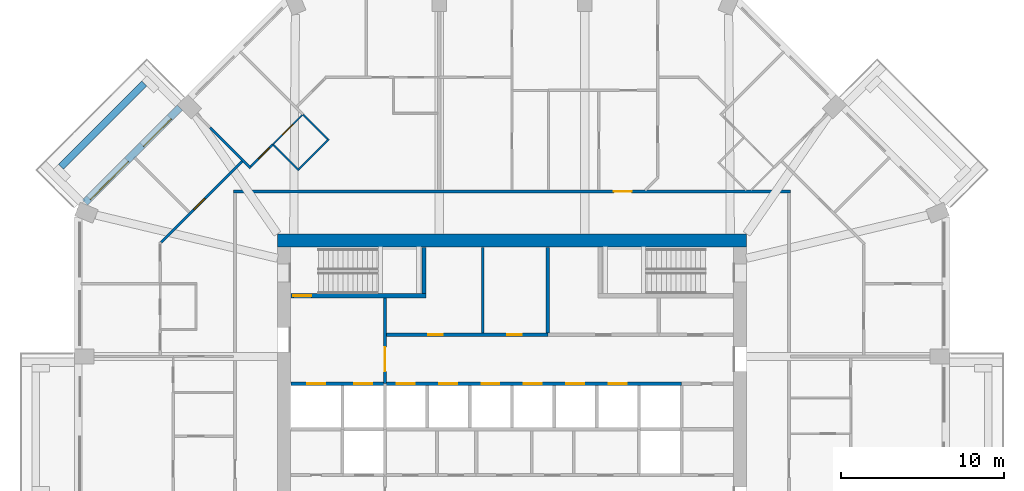
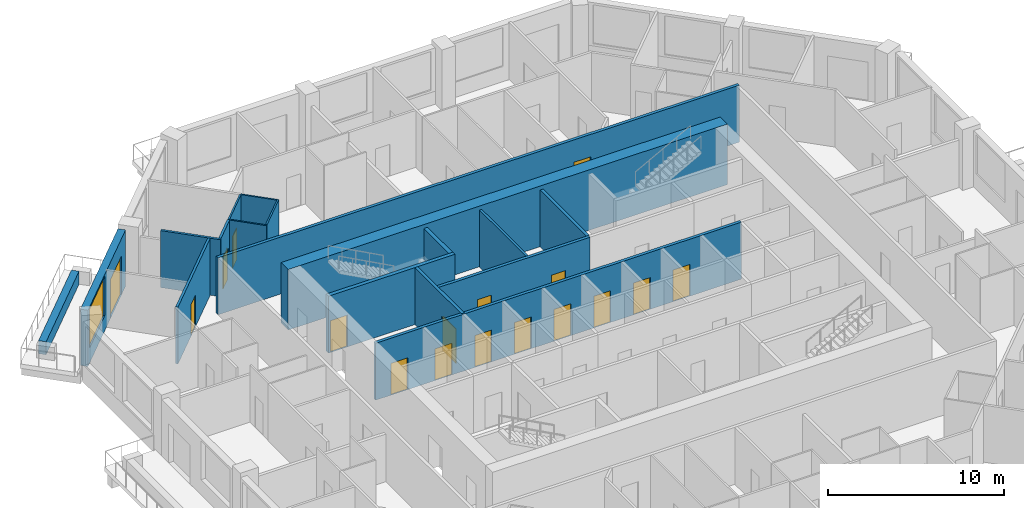
# One storey, part 8 of 13: 18 walls, 17 doors, 1 window, 18 openings.
"""IFC4 building model written with IfcOpenShell, lengths in metres."""

from ifc_helpers import new_model, si_unit, direction, frame, frame_2d, origin, place, context, subcontext, project, spatial, rectangle, extrude, material, layer, layer_set, type_object, element, fill, save


model = new_model("IFC4")

# Units and contexts
model_context = context("Model", 3, precision=1e-05, world=origin(), true_north=direction((0.0, 1.0)))
body_context = subcontext(model_context, "Body", "Model", "MODEL_VIEW")
ifc_project = project(units=[si_unit("LENGTHUNIT", "METRE"), si_unit("AREAUNIT", "SQUARE_METRE"), si_unit("VOLUMEUNIT", "CUBIC_METRE"), si_unit("PLANEANGLEUNIT", "RADIAN"), si_unit("MASSUNIT", "GRAM", prefix="KILO")], contexts=[model_context])

# Site, building, storey
site_placement = place(None, origin())
site = spatial("IfcSite", under=ifc_project, at=site_placement, CompositionType="ELEMENT")
building_placement = place(site_placement, origin())
building = spatial("IfcBuilding", under=site, at=building_placement, Name="Msitu Wima Residences", CompositionType="ELEMENT")
storey_placement = place(building_placement, frame((0.0, 0.0, 110.699951171875)))
storey = spatial("IfcBuildingStorey", under=building, at=storey_placement, Name="L25", CompositionType="ELEMENT", Elevation=110.699951171875)

# Wall
ifc_material_1 = material(Name="Facing brick")
ifc_layer_1 = layer(ifc_material_1, 0.06494140625, Name="Facing brick")
ifc_material_2 = material(Name="Concrete C40/50", Category="concrete")
ifc_layer_2 = layer(ifc_material_2, 0.156005859375, Name="Concrete C40/50")
ifc_material_3 = material(Name="Waterproofing membrane")
ifc_layer_3 = layer(ifc_material_3, 0.00390625, Name="Waterproofing membrane")
ifc_material_4 = material(Name="Planting soil and planting")
ifc_layer_4 = layer(ifc_material_4, 0.22509765625, Name="Planting soil and planting")
ifc_layer_set_1 = layer_set([ifc_layer_1, ifc_layer_2, ifc_layer_3, ifc_layer_4], Name="Concrete C40/50")
wall_type_1 = type_object("IfcWallType", Name="Balcony planter PLANTER PL450", PredefinedType="USERDEFINED", material=ifc_layer_set_1)
wall_1_placement = place(storey_placement, frame((-22.572265625, 21.228759765625, 0.0), z_axis=(0.0, 0.0, 1.0), x_axis=(-0.707106781187, -0.707106781187, 0.0)))
element("IfcWall", 1, at=wall_1_placement, inside=storey, type_object=wall_type_1, Name="Balcony planter NW1 L25", ObjectType="PLANTER", PredefinedType="USERDEFINED", context=body_context, shape_type="SweptSolid", body=[
    extrude(rectangle(XDim=7.23828125, YDim=0.449951171875, at=frame_2d((3.619140625, 0.0))), origin(), (0.0, 0.0, 1.0), 0.900146484375),
])

# Wall, openings, door, window
ifc_material_5 = material(Name="Brick (red buff mix)", Category="masonry")
ifc_layer_5 = layer(ifc_material_5, 0.449951171875)
ifc_layer_set_2 = layer_set([ifc_layer_5], Name="Brick (red buff mix)")
wall_type_2 = type_object("IfcWallType", Name="Brick infill wall BW450", PredefinedType="SOLIDWALL", material=ifc_layer_set_2)
wall_2_placement = place(storey_placement, frame((-20.380126953125, 19.743896484375, 0.0), z_axis=(0.0, 0.0, 1.0), x_axis=(-0.707106781187, -0.707106781187, 0.0)))
wall_2 = element("IfcWall", 2, at=wall_2_placement, inside=storey, type_object=wall_type_2, Name="Brick infill wall L25 NW1", PredefinedType="SOLIDWALL", context=body_context, shape_type="SweptSolid", body=[
    extrude(rectangle(XDim=8.251220703125, YDim=0.449951171875, at=frame_2d((4.12548828125, 0.0))), origin(), (0.0, 0.0, 1.0), 3.900146484375),
])
opening_1_placement = place(wall_2_placement, frame((0.86279296875, 0.0, 0.0)))
opening_1 = element("IfcOpeningElement", 3, at=opening_1_placement, cuts=wall_2, Name="Opening D25-26.005", PredefinedType="OPENING", context=body_context, shape_type="SweptSolid", body=[
    extrude(rectangle(XDim=2.39990234375, YDim=2.699951171875, at=frame_2d((1.199951171875, 1.35009765625))), frame((0.0, 0.23486328125, 0.0), z_axis=(0.0, -1.0, 0.0), x_axis=(1.0, 0.0, 0.0)), (0.0, 0.0, 1.0), 0.469970703125),
])
opening_2_placement = place(wall_2_placement, frame((4.57568359375, 0.0, 1.050048828125)))
opening_2 = element("IfcOpeningElement", 4, at=opening_2_placement, cuts=wall_2, Name="Opening W25-26.015", PredefinedType="OPENING", context=body_context, shape_type="SweptSolid", body=[
    extrude(rectangle(XDim=3.300048828125, YDim=2.699951171875, at=frame_2d((1.64990234375, 1.35009765625))), frame((0.0, 0.23486328125, 0.0), z_axis=(0.0, -1.0, 0.0), x_axis=(1.0, 0.0, 0.0)), (0.0, 0.0, 1.0), 0.469970703125),
])
ifc_material_6 = material(Name="Anodised aluminium, bronze finish, clear low-emissivity double glazing", Category="aluminium")
door_type_1 = type_object("IfcDoorType", Name="Balcony door D2400x2700", OperationType="SLIDING_TO_LEFT", PredefinedType="DOOR", material=ifc_material_6)
door_1_placement = place(opening_1_placement, origin())
door_1 = element("IfcDoor", 5, at=door_1_placement, inside=storey, type_object=door_type_1, Name="Balcony door L25 NW1", OperationType="SINGLE_SWING_LEFT", OverallHeight=2.699951171875, OverallWidth=2.39990234375, PredefinedType="DOOR", context=body_context, shape_type="SweptSolid", body=[
    extrude(rectangle(XDim=2.39990234375, YDim=2.699951171875, at=frame_2d((1.199951171875, 1.35009765625))), frame((0.0, 0.1298828125, 0.0), z_axis=(0.0, -1.0, 0.0), x_axis=(1.0, 0.0, 0.0)), (0.0, 0.0, 1.0), 0.050048828125),
])
fill(opening_1, door_1)
window_type = type_object("IfcWindowType", Name="Window W3300x2700", PartitioningType="DOUBLE_PANEL_VERTICAL", PredefinedType="WINDOW", material=ifc_material_6)
window_placement = place(opening_2_placement, origin())
window = element("IfcWindow", 6, at=window_placement, inside=storey, type_object=window_type, Name="Window L25 NW1.2", OverallHeight=2.699951171875, OverallWidth=3.300048828125, PartitioningType="SINGLE_PANEL", PredefinedType="WINDOW", context=body_context, shape_type="SweptSolid", body=[
    extrude(rectangle(XDim=3.300048828125, YDim=2.699951171875, at=frame_2d((1.64990234375, 1.35009765625))), frame((0.0, 0.135009765625, 0.0), z_axis=(0.0, -1.0, 0.0), x_axis=(1.0, 0.0, 0.0)), (0.0, 0.0, 1.0), 0.06005859375),
])
fill(opening_2, window)

# Wall
ifc_material_7 = material(Name="Concrete C70/85", Category="concrete")
ifc_layer_6 = layer(ifc_material_7, 0.800048828125)
ifc_layer_set_3 = layer_set([ifc_layer_6], Name="Concrete C70/85")
wall_type_3 = type_object("IfcWallType", Name="Core wall CW800 C70/85", PredefinedType="SHEAR", material=ifc_layer_set_3)
wall_3_placement = place(storey_placement, frame((-14.39990234375, 11.60009765625, 0.0), z_axis=(0.0, 0.0, 1.0), x_axis=(1.0, 0.0, 0.0)))
element("IfcWall", 7, at=wall_3_placement, inside=storey, type_object=wall_type_3, Name="Core wall", PredefinedType="SHEAR", context=body_context, shape_type="SweptSolid", body=[
    extrude(rectangle(XDim=28.7998046875, YDim=0.800048828125, at=frame_2d((14.39990234375, 0.0))), origin(), (0.0, 0.0, 1.0), 4.199951171875),
])

# Wall, opening, door
ifc_material_8 = material(Name="Plaster")
ifc_layer_7 = layer(ifc_material_8, 0.011962890625, Name="Plaster")
ifc_material_9 = material(Name="Concrete blockwork", Category="masonry")
ifc_layer_8 = layer(ifc_material_9, 0.176025390625, Name="Concrete blockwork")
ifc_layer_9 = layer(ifc_material_8, 0.011962890625, Name="Plaster")
ifc_layer_set_4 = layer_set([ifc_layer_7, ifc_layer_8, ifc_layer_9], Name="Concrete blockwork")
wall_type_4 = type_object("IfcWallType", Name="Corridor wall FW200", PredefinedType="PARTITIONING", material=ifc_layer_set_4)
wall_4_placement = place(storey_placement, frame((-17.10009765625, 14.60009765625, 0.0), z_axis=(0.0, 0.0, 1.0), x_axis=(1.0, 0.0, 0.0)))
wall_4 = element("IfcWall", 8, at=wall_4_placement, inside=storey, type_object=wall_type_4, Name="Corridor wall", PredefinedType="PARTITIONING", context=body_context, shape_type="SweptSolid", body=[
    extrude(rectangle(XDim=34.2001953125, YDim=0.199951171875, at=frame_2d((17.10009765625, 0.0))), origin(), (0.0, 0.0, 1.0), 3.949951171875),
])
opening_3_placement = place(wall_4_placement, frame((23.35009765625, 0.0, 0.0)))
opening_3 = element("IfcOpeningElement", 9, at=opening_3_placement, cuts=wall_4, Name="Opening D25-26.011", PredefinedType="OPENING", context=body_context, shape_type="SweptSolid", body=[
    extrude(rectangle(XDim=1.10009765625, YDim=2.39990234375, at=frame_2d((0.550048828125, 1.199951171875))), frame((0.0, 0.10986328125, 0.0), z_axis=(0.0, -1.0, 0.0), x_axis=(1.0, 0.0, 0.0)), (0.0, 0.0, 1.0), 0.219970703125),
])
ifc_material_10 = material(Name="Timber flush door, fire resisting, self-closing", Category="wood")
door_type_2 = type_object("IfcDoorType", Name="Flat entrance door D01 1100x2400", OperationType="SINGLE_SWING_LEFT", PredefinedType="DOOR", material=ifc_material_10)
door_2_placement = place(opening_3_placement, origin())
door_2 = element("IfcDoor", 10, at=door_2_placement, inside=storey, type_object=door_type_2, Name="Flat entrance door", OperationType="SINGLE_SWING_LEFT", OverallHeight=2.39990234375, OverallWidth=1.10009765625, PredefinedType="DOOR", context=body_context, shape_type="SweptSolid", body=[
    extrude(rectangle(XDim=1.10009765625, YDim=2.39990234375, at=frame_2d((0.550048828125, 1.199951171875))), frame((0.0, 0.02490234375, 0.0), z_axis=(0.0, -1.0, 0.0), x_axis=(1.0, 0.0, 0.0)), (0.0, 0.0, 1.0), 0.050048828125),
])
fill(opening_3, door_2)

wall_5_placement = place(storey_placement, frame((-7.800048828125, 2.800048828125, 0.0), z_axis=(0.0, 0.0, 1.0), x_axis=(0.0, 1.0, 0.0)))
wall_5 = element("IfcWall", 11, at=wall_5_placement, inside=storey, type_object=wall_type_4, Name="Corridor wall", PredefinedType="PARTITIONING", context=body_context, shape_type="SweptSolid", body=[
    extrude(rectangle(XDim=5.27490234375, YDim=0.199951171875, at=frame_2d((2.637451171875, 0.0))), origin(), (0.0, 0.0, 1.0), 3.949951171875),
])
opening_4_placement = place(wall_5_placement, frame((0.75, 0.0, 0.0)))
opening_4 = element("IfcOpeningElement", 12, at=opening_4_placement, cuts=wall_5, Name="Opening D25-26.017", PredefinedType="OPENING", context=body_context, shape_type="SweptSolid", body=[
    extrude(rectangle(XDim=1.5, YDim=2.39990234375, at=frame_2d((0.75, 1.199951171875))), frame((0.0, 0.10986328125, 0.0), z_axis=(0.0, -1.0, 0.0), x_axis=(1.0, 0.0, 0.0)), (0.0, 0.0, 1.0), 0.219970703125),
])
ifc_material_11 = material(Name="Steel framed glazed door, fire resisting", Category="steel")
door_type_3 = type_object("IfcDoorType", Name="Lobby door D07 1500x2400", OperationType="DOUBLE_DOOR_SINGLE_SWING", PredefinedType="DOOR", material=ifc_material_11)
door_3_placement = place(opening_4_placement, origin())
door_3 = element("IfcDoor", 13, at=door_3_placement, inside=storey, type_object=door_type_3, Name="Lobby door", OperationType="DOUBLE_DOOR_SINGLE_SWING", OverallHeight=2.39990234375, OverallWidth=1.5, PredefinedType="DOOR", context=body_context, shape_type="SweptSolid", body=[
    extrude(rectangle(XDim=1.5, YDim=2.39990234375, at=frame_2d((0.75, 1.199951171875))), frame((0.0, 0.02490234375, 0.0), z_axis=(0.0, -1.0, 0.0), x_axis=(1.0, 0.0, 0.0)), (0.0, 0.0, 1.0), 0.050048828125),
])
fill(opening_4, door_3)

# Wall, openings, doors
wall_6_placement = place(storey_placement, frame((-7.699951171875, 5.800048828125, 0.0), z_axis=(0.0, 0.0, 1.0), x_axis=(1.0, 0.0, 0.0)))
wall_6 = element("IfcWall", 14, at=wall_6_placement, inside=storey, type_object=wall_type_4, Name="Corridor wall", PredefinedType="PARTITIONING", context=body_context, shape_type="SweptSolid", body=[
    extrude(rectangle(XDim=9.919921875, YDim=0.199951171875, at=frame_2d((4.9599609375, 0.0))), origin(), (0.0, 0.0, 1.0), 3.949951171875),
])
opening_5_placement = place(wall_6_placement, frame((2.550048828125, 0.0, 0.0)))
opening_5 = element("IfcOpeningElement", 15, at=opening_5_placement, cuts=wall_6, Name="Opening D25-26.020", PredefinedType="OPENING", context=body_context, shape_type="SweptSolid", body=[
    extrude(rectangle(XDim=0.89990234375, YDim=2.199951171875, at=frame_2d((0.449951171875, 1.10009765625))), frame((0.0, 0.10986328125, 0.0), z_axis=(0.0, -1.0, 0.0), x_axis=(1.0, 0.0, 0.0)), (0.0, 0.0, 1.0), 0.219970703125),
])
opening_6_placement = place(wall_6_placement, frame((7.39990234375, 0.0, 0.0)))
opening_6 = element("IfcOpeningElement", 16, at=opening_6_placement, cuts=wall_6, Name="Opening D25-26.021", PredefinedType="OPENING", context=body_context, shape_type="SweptSolid", body=[
    extrude(rectangle(XDim=0.89990234375, YDim=2.199951171875, at=frame_2d((0.449951171875, 1.10009765625))), frame((0.0, 0.10986328125, 0.0), z_axis=(0.0, -1.0, 0.0), x_axis=(1.0, 0.0, 0.0)), (0.0, 0.0, 1.0), 0.219970703125),
])
ifc_material_12 = material(Name="Timber flush door", Category="wood")
door_type_4 = type_object("IfcDoorType", Name="Service door D05 900x2200", OperationType="SINGLE_SWING_LEFT", PredefinedType="DOOR", material=ifc_material_12)
door_4_placement = place(opening_5_placement, origin())
door_4 = element("IfcDoor", 17, at=door_4_placement, inside=storey, type_object=door_type_4, Name="Service door", OperationType="SINGLE_SWING_RIGHT", OverallHeight=2.199951171875, OverallWidth=0.89990234375, PredefinedType="DOOR", context=body_context, shape_type="SweptSolid", body=[
    extrude(rectangle(XDim=0.89990234375, YDim=2.199951171875, at=frame_2d((0.449951171875, 1.10009765625))), frame((0.0, 0.02490234375, 0.0), z_axis=(0.0, -1.0, 0.0), x_axis=(1.0, 0.0, 0.0)), (0.0, 0.0, 1.0), 0.050048828125),
])
fill(opening_5, door_4)
door_5_placement = place(opening_6_placement, origin())
door_5 = element("IfcDoor", 18, at=door_5_placement, inside=storey, type_object=door_type_4, Name="Service door", OperationType="SINGLE_SWING_LEFT", OverallHeight=2.199951171875, OverallWidth=0.89990234375, PredefinedType="DOOR", context=body_context, shape_type="SweptSolid", body=[
    extrude(rectangle(XDim=0.89990234375, YDim=2.199951171875, at=frame_2d((0.449951171875, 1.10009765625))), frame((0.0, 0.02490234375, 0.0), z_axis=(0.0, -1.0, 0.0), x_axis=(1.0, 0.0, 0.0)), (0.0, 0.0, 1.0), 0.050048828125),
])
fill(opening_6, door_5)

# Wall, opening, door
ifc_layer_10 = layer(ifc_material_8, 0.011962890625, Name="Plaster")
ifc_layer_11 = layer(ifc_material_9, 0.1259765625, Name="Concrete blockwork")
ifc_layer_12 = layer(ifc_material_8, 0.011962890625, Name="Plaster")
ifc_layer_set_5 = layer_set([ifc_layer_10, ifc_layer_11, ifc_layer_12], Name="Concrete blockwork")
wall_type_5 = type_object("IfcWallType", Name="Partition PW150", PredefinedType="PARTITIONING", material=ifc_layer_set_5)
wall_7_placement = place(storey_placement, frame((-21.546875, 11.470703125, 0.0), z_axis=(0.0, 0.0, 1.0), x_axis=(0.707106781187, 0.707106781187, 0.0)))
wall_7 = element("IfcWall", 19, at=wall_7_placement, inside=storey, type_object=wall_type_5, Name="Partition", PredefinedType="PARTITIONING", context=body_context, shape_type="SweptSolid", body=[
    extrude(rectangle(XDim=7.050048828125, YDim=0.14990234375, at=frame_2d((3.52490234375, 0.0))), origin(), (0.0, 0.0, 1.0), 3.949951171875),
])
opening_7_placement = place(wall_7_placement, frame((2.85009765625, 0.0, 0.0)))
opening_7 = element("IfcOpeningElement", 20, at=opening_7_placement, cuts=wall_7, Name="Opening D25-26.051", PredefinedType="OPENING", context=body_context, shape_type="SweptSolid", body=[
    extrude(rectangle(XDim=0.949951171875, YDim=2.199951171875, at=frame_2d((0.47509765625, 1.10009765625))), frame((0.0, 0.0849609375, 0.0), z_axis=(0.0, -1.0, 0.0), x_axis=(1.0, 0.0, 0.0)), (0.0, 0.0, 1.0), 0.169921875),
])
door_type_5 = type_object("IfcDoorType", Name="Room door D12 950x2200", OperationType="SINGLE_SWING_LEFT", PredefinedType="DOOR", material=ifc_material_12)
door_6_placement = place(opening_7_placement, origin())
door_6 = element("IfcDoor", 21, at=door_6_placement, inside=storey, type_object=door_type_5, Name="Room door", OperationType="SINGLE_SWING_LEFT", OverallHeight=2.199951171875, OverallWidth=0.949951171875, PredefinedType="DOOR", context=body_context, shape_type="SweptSolid", body=[
    extrude(rectangle(XDim=0.949951171875, YDim=2.199951171875, at=frame_2d((0.47509765625, 1.10009765625))), frame((0.0, 0.02490234375, 0.0), z_axis=(0.0, -1.0, 0.0), x_axis=(1.0, 0.0, 0.0)), (0.0, 0.0, 1.0), 0.050048828125),
])
fill(opening_7, door_6)

# Wall
wall_8_placement = place(storey_placement, frame((-18.517578125, 18.517578125, 0.0), z_axis=(0.0, 0.0, 1.0), x_axis=(0.707106781187, -0.707106781187, 0.0)))
element("IfcWall", 22, at=wall_8_placement, inside=storey, type_object=wall_type_5, Name="Partition", PredefinedType="PARTITIONING", context=body_context, shape_type="SweptSolid", body=[
    extrude(rectangle(XDim=3.515869140625, YDim=0.14990234375, at=frame_2d((1.7578125, 0.0))), origin(), (0.0, 0.0, 1.0), 3.949951171875),
])

# Wall, opening, door
wall_9_placement = place(storey_placement, frame((-16.031494140625, 16.1376953125, 0.0), z_axis=(0.0, 0.0, 1.0), x_axis=(0.707106781187, 0.707106781187, 0.0)))
wall_9 = element("IfcWall", 23, at=wall_9_placement, inside=storey, type_object=wall_type_5, Name="Partition", PredefinedType="PARTITIONING", context=body_context, shape_type="SweptSolid", body=[
    extrude(rectangle(XDim=1.89892578125, YDim=0.14990234375, at=frame_2d((0.949462890625, 0.0))), origin(), (0.0, 0.0, 1.0), 3.949951171875),
])
opening_8_placement = place(wall_9_placement, frame((0.64990234375, 0.0, 0.0)))
opening_8 = element("IfcOpeningElement", 24, at=opening_8_placement, cuts=wall_9, Name="Opening D25-26.057", PredefinedType="OPENING", context=body_context, shape_type="SweptSolid", body=[
    extrude(rectangle(XDim=0.949951171875, YDim=2.199951171875, at=frame_2d((0.47509765625, 1.10009765625))), frame((0.0, 0.0849609375, 0.0), z_axis=(0.0, -1.0, 0.0), x_axis=(1.0, 0.0, 0.0)), (0.0, 0.0, 1.0), 0.169921875),
])
door_7_placement = place(opening_8_placement, origin())
door_7 = element("IfcDoor", 25, at=door_7_placement, inside=storey, type_object=door_type_5, Name="Room door", OperationType="SINGLE_SWING_LEFT", OverallHeight=2.199951171875, OverallWidth=0.949951171875, PredefinedType="DOOR", context=body_context, shape_type="SweptSolid", body=[
    extrude(rectangle(XDim=0.949951171875, YDim=2.199951171875, at=frame_2d((0.47509765625, 1.10009765625))), frame((0.0, 0.02490234375, 0.0), z_axis=(0.0, -1.0, 0.0), x_axis=(1.0, 0.0, 0.0)), (0.0, 0.0, 1.0), 0.050048828125),
])
fill(opening_8, door_7)

# Walls
wall_10_placement = place(storey_placement, frame((-1.800048828125, 5.89990234375, 0.0), z_axis=(0.0, 0.0, 1.0), x_axis=(0.0, 1.0, 0.0)))
element("IfcWall", 26, at=wall_10_placement, inside=storey, type_object=wall_type_5, Name="Partition", PredefinedType="PARTITIONING", context=body_context, shape_type="SweptSolid", body=[
    extrude(rectangle(XDim=5.27001953125, YDim=0.14990234375, at=frame_2d((2.635009765625, 0.0))), origin(), (0.0, 0.0, 1.0), 3.949951171875),
])
ifc_layer_13 = layer(ifc_material_8, 0.011962890625, Name="Plaster")
ifc_material_13 = material(Name="Reinforced concrete blockwork", Category="masonry")
ifc_layer_14 = layer(ifc_material_13, 0.176025390625, Name="Reinforced concrete blockwork")
ifc_layer_15 = layer(ifc_material_8, 0.011962890625, Name="Plaster")
ifc_layer_set_6 = layer_set([ifc_layer_13, ifc_layer_14, ifc_layer_15], Name="Reinforced concrete blockwork")
wall_type_6 = type_object("IfcWallType", Name="Plant and riser wall PL200", PredefinedType="PARTITIONING", material=ifc_layer_set_6)
wall_11_placement = place(storey_placement, frame((2.199951171875, 5.89990234375, 0.0), z_axis=(0.0, 0.0, 1.0), x_axis=(0.0, 1.0, 0.0)))
element("IfcWall", 27, at=wall_11_placement, inside=storey, type_object=wall_type_6, Name="Plant and riser wall", PredefinedType="PARTITIONING", context=body_context, shape_type="SweptSolid", body=[
    extrude(rectangle(XDim=5.27001953125, YDim=0.199951171875, at=frame_2d((2.635009765625, 0.0))), origin(), (0.0, 0.0, 1.0), 3.949951171875),
])

# Wall, openings, doors
ifc_material_14 = material(Name="Fire-rated board")
ifc_layer_16 = layer(ifc_material_14, 0.02490234375, Name="Fire-rated board")
ifc_material_15 = material(Name="Light-gauge stud framing with mineral wool")
ifc_layer_17 = layer(ifc_material_15, 0.14990234375, Name="Light-gauge stud framing with mineral wool")
ifc_layer_18 = layer(ifc_material_14, 0.02490234375, Name="Fire-rated board")
ifc_layer_set_7 = layer_set([ifc_layer_16, ifc_layer_17, ifc_layer_18], Name="Light-gauge stud framing with mineral wool")
wall_type_7 = type_object("IfcWallType", Name="Shaft wall SH200", PredefinedType="PARTITIONING", material=ifc_layer_set_7)
wall_12_placement = place(storey_placement, frame((-13.570068359375, 2.800048828125, 0.0), z_axis=(0.0, 0.0, 1.0), x_axis=(1.0, 0.0, 0.0)))
wall_12 = element("IfcWall", 28, at=wall_12_placement, inside=storey, type_object=wall_type_7, Name="Shaft wall", PredefinedType="PARTITIONING", context=body_context, shape_type="SweptSolid", body=[
    extrude(rectangle(XDim=23.969970703125, YDim=0.199951171875, at=frame_2d((11.98486328125, 0.0))), origin(), (0.0, 0.0, 1.0), 3.949951171875),
])
opening_9_placement = place(wall_12_placement, frame((1.0, 0.0, 0.0)))
opening_9 = element("IfcOpeningElement", 29, at=opening_9_placement, cuts=wall_12, Name="Opening LD", PredefinedType="OPENING", context=body_context, shape_type="SweptSolid", body=[
    extrude(rectangle(XDim=1.10009765625, YDim=2.199951171875, at=frame_2d((0.550048828125, 1.10009765625))), frame((0.0, 0.10986328125, 0.0), z_axis=(0.0, -1.0, 0.0), x_axis=(1.0, 0.0, 0.0)), (0.0, 0.0, 1.0), 0.219970703125),
])
opening_10_placement = place(wall_12_placement, frame((3.89990234375, 0.0, 0.0)))
opening_10 = element("IfcOpeningElement", 30, at=opening_10_placement, cuts=wall_12, Name="Opening LD", PredefinedType="OPENING", context=body_context, shape_type="SweptSolid", body=[
    extrude(rectangle(XDim=1.10009765625, YDim=2.199951171875, at=frame_2d((0.550048828125, 1.10009765625))), frame((0.0, 0.10986328125, 0.0), z_axis=(0.0, -1.0, 0.0), x_axis=(1.0, 0.0, 0.0)), (0.0, 0.0, 1.0), 0.219970703125),
])
opening_11_placement = place(wall_12_placement, frame((6.5, 0.0, 0.0)))
opening_11 = element("IfcOpeningElement", 31, at=opening_11_placement, cuts=wall_12, Name="Opening LD", PredefinedType="OPENING", context=body_context, shape_type="SweptSolid", body=[
    extrude(rectangle(XDim=1.10009765625, YDim=2.199951171875, at=frame_2d((0.550048828125, 1.10009765625))), frame((0.0, 0.10986328125, 0.0), z_axis=(0.0, -1.0, 0.0), x_axis=(1.0, 0.0, 0.0)), (0.0, 0.0, 1.0), 0.219970703125),
])
opening_12_placement = place(wall_12_placement, frame((9.10009765625, 0.0, 0.0)))
opening_12 = element("IfcOpeningElement", 32, at=opening_12_placement, cuts=wall_12, Name="Opening LD", PredefinedType="OPENING", context=body_context, shape_type="SweptSolid", body=[
    extrude(rectangle(XDim=1.10009765625, YDim=2.199951171875, at=frame_2d((0.550048828125, 1.10009765625))), frame((0.0, 0.10986328125, 0.0), z_axis=(0.0, -1.0, 0.0), x_axis=(1.0, 0.0, 0.0)), (0.0, 0.0, 1.0), 0.219970703125),
])
opening_13_placement = place(wall_12_placement, frame((11.699951171875, 0.0, 0.0)))
opening_13 = element("IfcOpeningElement", 33, at=opening_13_placement, cuts=wall_12, Name="Opening LD", PredefinedType="OPENING", context=body_context, shape_type="SweptSolid", body=[
    extrude(rectangle(XDim=1.10009765625, YDim=2.199951171875, at=frame_2d((0.550048828125, 1.10009765625))), frame((0.0, 0.10986328125, 0.0), z_axis=(0.0, -1.0, 0.0), x_axis=(1.0, 0.0, 0.0)), (0.0, 0.0, 1.0), 0.219970703125),
])
opening_14_placement = place(wall_12_placement, frame((14.300048828125, 0.0, 0.0)))
opening_14 = element("IfcOpeningElement", 34, at=opening_14_placement, cuts=wall_12, Name="Opening LD", PredefinedType="OPENING", context=body_context, shape_type="SweptSolid", body=[
    extrude(rectangle(XDim=1.10009765625, YDim=2.199951171875, at=frame_2d((0.550048828125, 1.10009765625))), frame((0.0, 0.10986328125, 0.0), z_axis=(0.0, -1.0, 0.0), x_axis=(1.0, 0.0, 0.0)), (0.0, 0.0, 1.0), 0.219970703125),
])
opening_15_placement = place(wall_12_placement, frame((16.89990234375, 0.0, 0.0)))
opening_15 = element("IfcOpeningElement", 35, at=opening_15_placement, cuts=wall_12, Name="Opening LD", PredefinedType="OPENING", context=body_context, shape_type="SweptSolid", body=[
    extrude(rectangle(XDim=1.10009765625, YDim=2.199951171875, at=frame_2d((0.550048828125, 1.10009765625))), frame((0.0, 0.10986328125, 0.0), z_axis=(0.0, -1.0, 0.0), x_axis=(1.0, 0.0, 0.0)), (0.0, 0.0, 1.0), 0.219970703125),
])
opening_16_placement = place(wall_12_placement, frame((19.5, 0.0, 0.0)))
opening_16 = element("IfcOpeningElement", 36, at=opening_16_placement, cuts=wall_12, Name="Opening LD", PredefinedType="OPENING", context=body_context, shape_type="SweptSolid", body=[
    extrude(rectangle(XDim=1.10009765625, YDim=2.199951171875, at=frame_2d((0.550048828125, 1.10009765625))), frame((0.0, 0.10986328125, 0.0), z_axis=(0.0, -1.0, 0.0), x_axis=(1.0, 0.0, 0.0)), (0.0, 0.0, 1.0), 0.219970703125),
])
ifc_material_16 = material(Name="Stainless steel centre-opening landing door, rated", Category="steel")
door_type_6 = type_object("IfcDoorType", Name="Lift landing door LD 1100x2200", OperationType="DOUBLE_DOOR_SLIDING", PredefinedType="DOOR", material=ifc_material_16)
door_8_placement = place(opening_9_placement, origin())
door_8 = element("IfcDoor", 37, at=door_8_placement, inside=storey, type_object=door_type_6, Name="Lift landing door LD1", OperationType="DOUBLE_DOOR_SLIDING", OverallHeight=2.199951171875, OverallWidth=1.10009765625, PredefinedType="DOOR", context=body_context, shape_type="SweptSolid", body=[
    extrude(rectangle(XDim=1.10009765625, YDim=2.199951171875, at=frame_2d((0.550048828125, 1.10009765625))), frame((0.0, 0.02490234375, 0.0), z_axis=(0.0, -1.0, 0.0), x_axis=(1.0, 0.0, 0.0)), (0.0, 0.0, 1.0), 0.050048828125),
])
fill(opening_9, door_8)
door_9_placement = place(opening_10_placement, origin())
door_9 = element("IfcDoor", 38, at=door_9_placement, inside=storey, type_object=door_type_6, Name="Lift landing door LD2", OperationType="DOUBLE_DOOR_SLIDING", OverallHeight=2.199951171875, OverallWidth=1.10009765625, PredefinedType="DOOR", context=body_context, shape_type="SweptSolid", body=[
    extrude(rectangle(XDim=1.10009765625, YDim=2.199951171875, at=frame_2d((0.550048828125, 1.10009765625))), frame((0.0, 0.02490234375, 0.0), z_axis=(0.0, -1.0, 0.0), x_axis=(1.0, 0.0, 0.0)), (0.0, 0.0, 1.0), 0.050048828125),
])
fill(opening_10, door_9)
door_10_placement = place(opening_11_placement, origin())
door_10 = element("IfcDoor", 39, at=door_10_placement, inside=storey, type_object=door_type_6, Name="Lift landing door LD4", OperationType="DOUBLE_DOOR_SLIDING", OverallHeight=2.199951171875, OverallWidth=1.10009765625, PredefinedType="DOOR", context=body_context, shape_type="SweptSolid", body=[
    extrude(rectangle(XDim=1.10009765625, YDim=2.199951171875, at=frame_2d((0.550048828125, 1.10009765625))), frame((0.0, 0.02490234375, 0.0), z_axis=(0.0, -1.0, 0.0), x_axis=(1.0, 0.0, 0.0)), (0.0, 0.0, 1.0), 0.050048828125),
])
fill(opening_11, door_10)
door_11_placement = place(opening_12_placement, origin())
door_11 = element("IfcDoor", 40, at=door_11_placement, inside=storey, type_object=door_type_6, Name="Lift landing door LD6", OperationType="DOUBLE_DOOR_SLIDING", OverallHeight=2.199951171875, OverallWidth=1.10009765625, PredefinedType="DOOR", context=body_context, shape_type="SweptSolid", body=[
    extrude(rectangle(XDim=1.10009765625, YDim=2.199951171875, at=frame_2d((0.550048828125, 1.10009765625))), frame((0.0, 0.02490234375, 0.0), z_axis=(0.0, -1.0, 0.0), x_axis=(1.0, 0.0, 0.0)), (0.0, 0.0, 1.0), 0.050048828125),
])
fill(opening_12, door_11)
door_12_placement = place(opening_13_placement, origin())
door_12 = element("IfcDoor", 41, at=door_12_placement, inside=storey, type_object=door_type_6, Name="Lift landing door LD8", OperationType="DOUBLE_DOOR_SLIDING", OverallHeight=2.199951171875, OverallWidth=1.10009765625, PredefinedType="DOOR", context=body_context, shape_type="SweptSolid", body=[
    extrude(rectangle(XDim=1.10009765625, YDim=2.199951171875, at=frame_2d((0.550048828125, 1.10009765625))), frame((0.0, 0.02490234375, 0.0), z_axis=(0.0, -1.0, 0.0), x_axis=(1.0, 0.0, 0.0)), (0.0, 0.0, 1.0), 0.050048828125),
])
fill(opening_13, door_12)
door_13_placement = place(opening_14_placement, origin())
door_13 = element("IfcDoor", 42, at=door_13_placement, inside=storey, type_object=door_type_6, Name="Lift landing door LD10", OperationType="DOUBLE_DOOR_SLIDING", OverallHeight=2.199951171875, OverallWidth=1.10009765625, PredefinedType="DOOR", context=body_context, shape_type="SweptSolid", body=[
    extrude(rectangle(XDim=1.10009765625, YDim=2.199951171875, at=frame_2d((0.550048828125, 1.10009765625))), frame((0.0, 0.02490234375, 0.0), z_axis=(0.0, -1.0, 0.0), x_axis=(1.0, 0.0, 0.0)), (0.0, 0.0, 1.0), 0.050048828125),
])
fill(opening_14, door_13)
door_14_placement = place(opening_15_placement, origin())
door_14 = element("IfcDoor", 43, at=door_14_placement, inside=storey, type_object=door_type_6, Name="Lift landing door LD12", OperationType="DOUBLE_DOOR_SLIDING", OverallHeight=2.199951171875, OverallWidth=1.10009765625, PredefinedType="DOOR", context=body_context, shape_type="SweptSolid", body=[
    extrude(rectangle(XDim=1.10009765625, YDim=2.199951171875, at=frame_2d((0.550048828125, 1.10009765625))), frame((0.0, 0.02490234375, 0.0), z_axis=(0.0, -1.0, 0.0), x_axis=(1.0, 0.0, 0.0)), (0.0, 0.0, 1.0), 0.050048828125),
])
fill(opening_15, door_14)
door_15_placement = place(opening_16_placement, origin())
door_15 = element("IfcDoor", 44, at=door_15_placement, inside=storey, type_object=door_type_6, Name="Lift landing door LD14", OperationType="DOUBLE_DOOR_SLIDING", OverallHeight=2.199951171875, OverallWidth=1.10009765625, PredefinedType="DOOR", context=body_context, shape_type="SweptSolid", body=[
    extrude(rectangle(XDim=1.10009765625, YDim=2.199951171875, at=frame_2d((0.550048828125, 1.10009765625))), frame((0.0, 0.02490234375, 0.0), z_axis=(0.0, -1.0, 0.0), x_axis=(1.0, 0.0, 0.0)), (0.0, 0.0, 1.0), 0.050048828125),
])
fill(opening_16, door_15)

# Wall, opening, door
ifc_material_17 = material(Name="Concrete C50/60", Category="concrete")
ifc_layer_19 = layer(ifc_material_17, 0.25)
ifc_layer_set_8 = layer_set([ifc_layer_19], Name="Concrete C50/60")
wall_type_8 = type_object("IfcWallType", Name="Stair enclosure wall SW250", PredefinedType="SHEAR", material=ifc_layer_set_8)
wall_13_placement = place(storey_placement, frame((-13.570068359375, 8.199951171875, 0.0), z_axis=(0.0, 0.0, 1.0), x_axis=(1.0, 0.0, 0.0)))
wall_13 = element("IfcWall", 45, at=wall_13_placement, inside=storey, type_object=wall_type_8, Name="Stair enclosure wall", PredefinedType="SHEAR", context=body_context, shape_type="SweptSolid", body=[
    extrude(rectangle(XDim=8.295166015625, YDim=0.25, at=frame_2d((4.1474609375, 0.0))), origin(), (0.0, 0.0, 1.0), 3.949951171875),
])
opening_17_placement = place(wall_13_placement, frame((0.14990234375, 0.0, 0.0)))
opening_17 = element("IfcOpeningElement", 46, at=opening_17_placement, cuts=wall_13, Name="Opening D25-26.037", PredefinedType="OPENING", context=body_context, shape_type="SweptSolid", body=[
    extrude(rectangle(XDim=1.10009765625, YDim=2.199951171875, at=frame_2d((0.550048828125, 1.10009765625))), frame((0.0, 0.135009765625, 0.0), z_axis=(0.0, -1.0, 0.0), x_axis=(1.0, 0.0, 0.0)), (0.0, 0.0, 1.0), 0.27001953125),
])
ifc_material_18 = material(Name="Steel door, fire resisting, panic bar", Category="steel")
door_type_7 = type_object("IfcDoorType", Name="Stair door D06 1100x2200", OperationType="SINGLE_SWING_LEFT", PredefinedType="DOOR", material=ifc_material_18)
door_16_placement = place(opening_17_placement, origin())
door_16 = element("IfcDoor", 47, at=door_16_placement, inside=storey, type_object=door_type_7, Name="Stair door", OperationType="SINGLE_SWING_LEFT", OverallHeight=2.199951171875, OverallWidth=1.10009765625, PredefinedType="DOOR", context=body_context, shape_type="SweptSolid", body=[
    extrude(rectangle(XDim=1.10009765625, YDim=2.199951171875, at=frame_2d((0.550048828125, 1.10009765625))), frame((0.0, 0.02490234375, 0.0), z_axis=(0.0, -1.0, 0.0), x_axis=(1.0, 0.0, 0.0)), (0.0, 0.0, 1.0), 0.050048828125),
])
fill(opening_17, door_16)

# Wall
wall_14_placement = place(storey_placement, frame((-5.39990234375, 8.324951171875, 0.0), z_axis=(0.0, 0.0, 1.0), x_axis=(0.0, 1.0, 0.0)))
element("IfcWall", 48, at=wall_14_placement, inside=storey, type_object=wall_type_8, Name="Stair enclosure wall", PredefinedType="SHEAR", context=body_context, shape_type="SweptSolid", body=[
    extrude(rectangle(XDim=2.844970703125, YDim=0.25, at=frame_2d((1.42236328125, 0.0))), origin(), (0.0, 0.0, 1.0), 3.949951171875),
])

# Wall, opening, door
ifc_material_19 = material(Name="Ceramic tiles")
ifc_layer_20 = layer(ifc_material_19, 0.008056640625, Name="Ceramic tiles")
ifc_material_20 = material(Name="Moisture-resistant board")
ifc_layer_21 = layer(ifc_material_20, 0.012451171875, Name="Moisture-resistant board")
ifc_layer_22 = layer(ifc_material_15, 0.06689453125, Name="Light-gauge stud framing with mineral wool")
ifc_layer_23 = layer(ifc_material_20, 0.012451171875, Name="Moisture-resistant board")
ifc_layer_set_9 = layer_set([ifc_layer_20, ifc_layer_21, ifc_layer_22, ifc_layer_23], Name="Light-gauge stud framing with mineral wool")
wall_type_9 = type_object("IfcWallType", Name="Wet wall PW100", PredefinedType="PARTITIONING", material=ifc_layer_set_9)
wall_15_placement = place(storey_placement, frame((-14.688720703125, 17.48046875, 0.0), z_axis=(0.0, 0.0, 1.0), x_axis=(0.707106781187, 0.707106781187, 0.0)))
wall_15 = element("IfcWall", 49, at=wall_15_placement, inside=storey, type_object=wall_type_9, Name="Wet wall", PredefinedType="PARTITIONING", context=body_context, shape_type="SweptSolid", body=[
    extrude(rectangle(XDim=2.570068359375, YDim=0.10009765625, at=frame_2d((1.28515625, 0.0))), origin(), (0.0, 0.0, 1.0), 3.949951171875),
])
opening_18_placement = place(wall_15_placement, frame((0.85009765625, 0.0, 0.0)))
opening_18 = element("IfcOpeningElement", 50, at=opening_18_placement, cuts=wall_15, Name="Opening D25-26.058", PredefinedType="OPENING", context=body_context, shape_type="SweptSolid", body=[
    extrude(rectangle(XDim=0.89990234375, YDim=2.199951171875, at=frame_2d((0.449951171875, 1.10009765625))), frame((0.0, 0.06005859375, 0.0), z_axis=(0.0, -1.0, 0.0), x_axis=(1.0, 0.0, 0.0)), (0.0, 0.0, 1.0), 0.1201171875),
])
ifc_material_21 = material(Name="Timber flush door, moisture resistant", Category="wood")
door_type_8 = type_object("IfcDoorType", Name="Bathroom door D03 900x2200", OperationType="SINGLE_SWING_LEFT", PredefinedType="DOOR", material=ifc_material_21)
door_17_placement = place(opening_18_placement, origin())
door_17 = element("IfcDoor", 51, at=door_17_placement, inside=storey, type_object=door_type_8, Name="Bathroom door", OperationType="SINGLE_SWING_RIGHT", OverallHeight=2.199951171875, OverallWidth=0.89990234375, PredefinedType="DOOR", context=body_context, shape_type="SweptSolid", body=[
    extrude(rectangle(XDim=0.89990234375, YDim=2.199951171875, at=frame_2d((0.449951171875, 1.10009765625))), frame((0.0, 0.02490234375, 0.0), z_axis=(0.0, -1.0, 0.0), x_axis=(1.0, 0.0, 0.0)), (0.0, 0.0, 1.0), 0.050048828125),
])
fill(opening_18, door_17)

# Walls
wall_16_placement = place(storey_placement, frame((-14.63916015625, 17.459228515625, 0.0), z_axis=(0.0, 0.0, 1.0), x_axis=(0.707106781187, -0.707106781187, 0.0)))
element("IfcWall", 52, at=wall_16_placement, inside=storey, type_object=wall_type_9, Name="Wet wall", PredefinedType="PARTITIONING", context=body_context, shape_type="SweptSolid", body=[
    extrude(rectangle(XDim=2.199951171875, YDim=0.10009765625, at=frame_2d((1.10009765625, 0.0))), origin(), (0.0, 0.0, 1.0), 3.949951171875),
])
wall_17_placement = place(storey_placement, frame((-13.08349609375, 15.974365234375, 0.0), z_axis=(0.0, 0.0, 1.0), x_axis=(0.707106781187, 0.707106781187, 0.0)))
element("IfcWall", 53, at=wall_17_placement, inside=storey, type_object=wall_type_9, Name="Wet wall", PredefinedType="PARTITIONING", context=body_context, shape_type="SweptSolid", body=[
    extrude(rectangle(XDim=2.599853515625, YDim=0.10009765625, at=frame_2d((1.2998046875, 0.0))), origin(), (0.0, 0.0, 1.0), 3.949951171875),
])
wall_18_placement = place(storey_placement, frame((-12.82177734375, 19.31884765625, 0.0), z_axis=(0.0, 0.0, 1.0), x_axis=(0.707106781187, -0.707106781187, 0.0)))
element("IfcWall", 54, at=wall_18_placement, inside=storey, type_object=wall_type_9, Name="Wet wall", PredefinedType="PARTITIONING", context=body_context, shape_type="SweptSolid", body=[
    extrude(rectangle(XDim=2.1298828125, YDim=0.10009765625, at=frame_2d((1.06494140625, 0.0))), origin(), (0.0, 0.0, 1.0), 3.949951171875),
])

save(model, "model.ifc")
